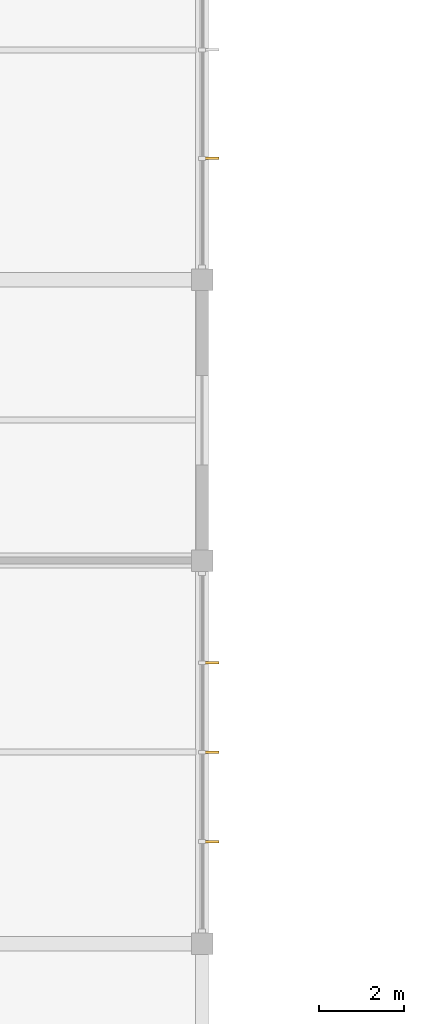
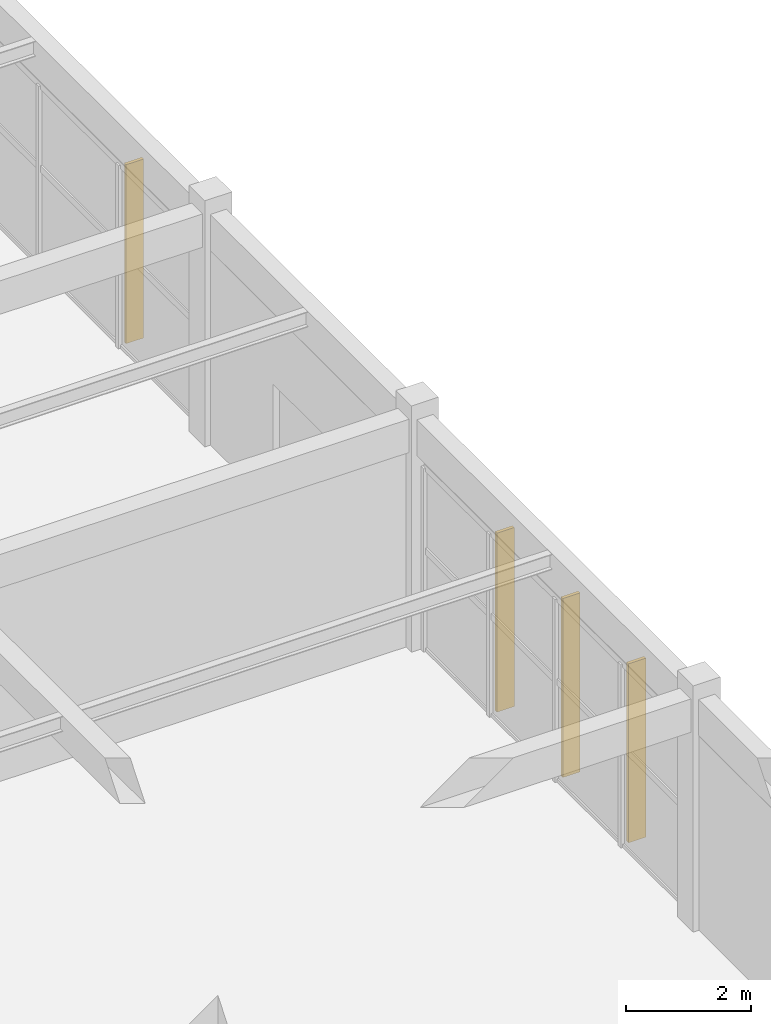
# One storey, part 64 of 82: 4 shading devices.
"""IFC4 building model written with IfcOpenShell, lengths in metres."""

from ifc_helpers import new_model, si_unit, direction, frame, origin, origin_2d, place, context, subcontext, project, spatial, rectangle, extrude, material, type_object, element, save


model = new_model("IFC4")

# Units and contexts
model_context = context("Model", 3, precision=1e-05, world=origin(), true_north=direction((0.0, 1.0)))
body_context = subcontext(model_context, "Body", "Model", "MODEL_VIEW")
ifc_project = project(units=[si_unit("LENGTHUNIT", "METRE"), si_unit("AREAUNIT", "SQUARE_METRE"), si_unit("VOLUMEUNIT", "CUBIC_METRE"), si_unit("PLANEANGLEUNIT", "RADIAN"), si_unit("MASSUNIT", "GRAM", prefix="KILO")], contexts=[model_context])

# Site, building, storey
site_placement = place(None, origin())
site = spatial("IfcSite", under=ifc_project, at=site_placement, CompositionType="ELEMENT")
building_placement = place(site_placement, origin())
building = spatial("IfcBuilding", under=site, at=building_placement, Name="Suirenkawa Promenade Aquatics Centre", CompositionType="ELEMENT")
storey_placement = place(building_placement, origin())
storey = spatial("IfcBuildingStorey", under=building, at=storey_placement, Name="L00", CompositionType="ELEMENT", Elevation=0.0)

# Shading devices
ifc_material = material(Name="Anodised aluminium 6063-T6", Category="aluminium")
shading_device_type = type_object("IfcShadingDeviceType", Name="SDT-KOUSHI-320", PredefinedType="USERDEFINED", material=ifc_material)
for number, where, z_axis, x_axis, name in (
    (1, (45.23193359375, 19.800537109375, 0.0400390625), (0.0, 0.0, 1.0), (1.0, 0.0, 0.0), "Vertical solar shading fin FN-02 FIN-0066"),
    (2, (45.23193359375, 17.699951171875, 0.0400390625), (0.0, 0.0, 1.0), (1.0, 0.0, 0.0), "Vertical solar shading fin FN-02 FIN-0067"),
    (3, (45.23193359375, 15.599609375, 0.0400390625), (0.0, 0.0, 1.0), (1.0, 0.0, 0.0), "Vertical solar shading fin FN-02 FIN-0068"),
    (4, (45.23193359375, 31.6494140625, 0.0400390625), (0.0, 0.0, 1.0), (1.0, 0.0, 0.0), "Vertical solar shading fin FN-02 FIN-0076"),
):
    element("IfcShadingDevice", number, at=place(storey_placement, frame(where, z_axis=z_axis, x_axis=x_axis)), inside=storey, type_object=shading_device_type, Name=name, ObjectType="FIN", PredefinedType="USERDEFINED", context=body_context, shape_type="SweptSolid", body=[
        extrude(rectangle(XDim=0.320068359375, YDim=0.06005859375, at=origin_2d()), origin(), (0.0, 0.0, 1.0), 3.489990234375),
    ])

save(model, "model.ifc")
